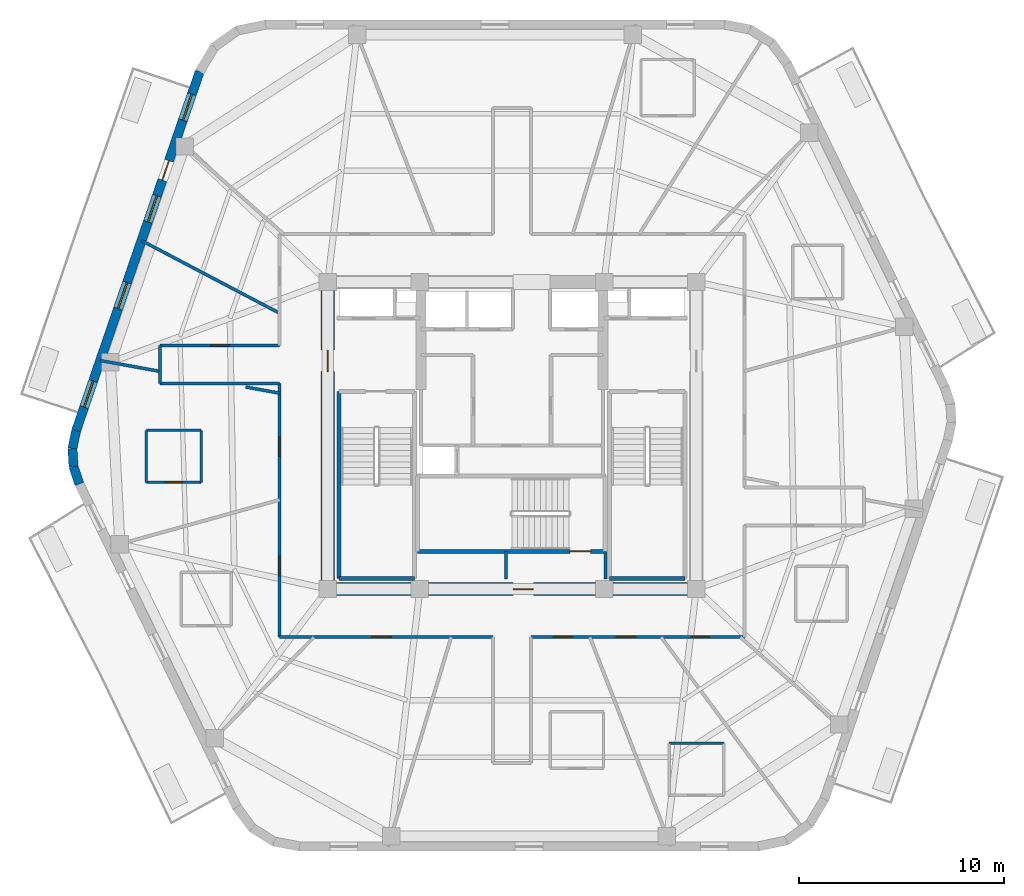
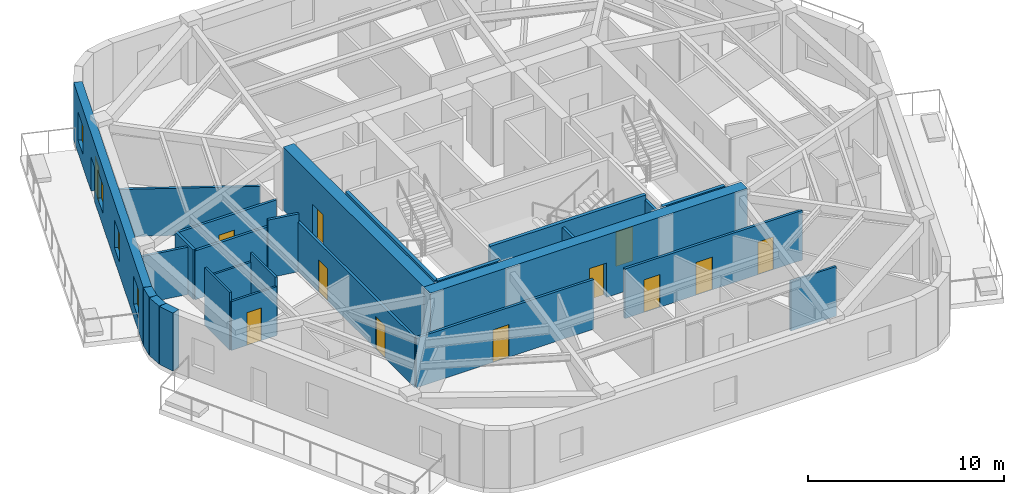
# One storey, part 3 of 9: 26 walls, 12 doors, 4 windows, 16 openings.
"""IFC4 building model written with IfcOpenShell, lengths in metres."""

from ifc_helpers import new_model, si_unit, direction, frame, frame_2d, origin, place, context, subcontext, project, spatial, rectangle, extrude, material, layer, layer_set, type_object, element, fill, save


model = new_model("IFC4")

# Units and contexts
model_context = context("Model", 3, precision=1e-05, world=origin(), true_north=direction((0.0, 1.0)))
body_context = subcontext(model_context, "Body", "Model", "MODEL_VIEW")
ifc_project = project(units=[si_unit("LENGTHUNIT", "METRE"), si_unit("AREAUNIT", "SQUARE_METRE"), si_unit("VOLUMEUNIT", "CUBIC_METRE"), si_unit("PLANEANGLEUNIT", "RADIAN"), si_unit("MASSUNIT", "GRAM", prefix="KILO")], contexts=[model_context])

# Site, building, storey
site_placement = place(None, origin())
site = spatial("IfcSite", under=ifc_project, at=site_placement, CompositionType="ELEMENT")
building_placement = place(site_placement, origin())
building = spatial("IfcBuilding", under=site, at=building_placement, Name="Kilnhurst Terrace Hotel", CompositionType="ELEMENT")
storey_placement = place(building_placement, frame((0.0, 0.0, 273.0)))
storey = spatial("IfcBuildingStorey", under=building, at=storey_placement, Name="L68", CompositionType="ELEMENT", Elevation=273.0)

# Walls
ifc_material_1 = material(Name="Precast concrete C40/50", Category="concrete")
ifc_layer_1 = layer(ifc_material_1, 0.449951171875, Name="Precast concrete C40/50")
ifc_layer_set_1 = layer_set([ifc_layer_1], Name="Precast concrete C40/50")
wall_type_1 = type_object("IfcWallType", Name="WL-BRK-450", PredefinedType="SOLIDWALL", material=ifc_layer_set_1)
wall_1_placement = place(storey_placement, frame((-21.297607421875, 0.2333984375, 0.0), z_axis=(0.0, 0.0, 1.0), x_axis=(-0.199158176661, -0.979967356941, 0.0)))
element("IfcWall", 1, at=wall_1_placement, inside=storey, type_object=wall_type_1, Name="L68 Rounded Corner Brick Wall C6.1", PredefinedType="SOLIDWALL", context=body_context, shape_type="SweptSolid", body=[
    extrude(rectangle(XDim=0.894775390625, YDim=0.449951171875, at=frame_2d((0.447265625, 0.0))), origin(), (0.0, 0.0, 1.0), 3.60009765625),
])
wall_2_placement = place(storey_placement, frame((-21.475830078125, -0.6435546875, 0.0), z_axis=(0.0, 0.0, 1.0), x_axis=(0.061031097918, -0.998135865044, 0.0)))
element("IfcWall", 2, at=wall_2_placement, inside=storey, type_object=wall_type_1, Name="L68 Rounded Corner Brick Wall C6.2", PredefinedType="SOLIDWALL", context=body_context, shape_type="SweptSolid", body=[
    extrude(rectangle(XDim=0.880126953125, YDim=0.449951171875, at=frame_2d((0.43994140625, 0.0))), origin(), (0.0, 0.0, 1.0), 3.60009765625),
])
wall_3_placement = place(storey_placement, frame((-21.422119140625, -1.52197265625, 0.0), z_axis=(0.0, 0.0, 1.0), x_axis=(0.316964162323, -0.94843751497, 0.0)))
element("IfcWall", 3, at=wall_3_placement, inside=storey, type_object=wall_type_1, Name="L68 Rounded Corner Brick Wall C6.3", PredefinedType="SOLIDWALL", context=body_context, shape_type="SweptSolid", body=[
    extrude(rectangle(XDim=0.89501953125, YDim=0.449951171875, at=frame_2d((0.447509765625, 0.0))), origin(), (0.0, 0.0, 1.0), 3.60009765625),
])

# Wall, openings, door, windows
wall_4_placement = place(storey_placement, frame((-15.260498046875, 17.776123046875, 0.0), z_axis=(0.0, 0.0, 1.0), x_axis=(-0.325407437101, -0.945573899745, 0.0)))
wall_4 = element("IfcWall", 4, at=wall_4_placement, inside=storey, type_object=wall_type_1, Name="L68 Exterior Brick Facade Wall F5", PredefinedType="SOLIDWALL", context=body_context, shape_type="SweptSolid", body=[
    extrude(rectangle(XDim=18.552490234375, YDim=0.449951171875, at=frame_2d((9.2763671875, 0.0))), origin(), (0.0, 0.0, 1.0), 3.60009765625),
])
opening_1_placement = place(wall_4_placement, frame((4.60205078125, 0.0, 0.0)))
opening_1 = element("IfcOpeningElement", 5, at=opening_1_placement, cuts=wall_4, Name="Opening BD-1000", PredefinedType="OPENING", context=body_context, shape_type="SweptSolid", body=[
    extrude(rectangle(XDim=1.0, YDim=2.14990234375, at=frame_2d((0.5, 1.074951171875))), frame((0.0, 0.23486328125, 0.0), z_axis=(0.0, -1.0, 0.0), x_axis=(1.0, 0.0, 0.0)), (0.0, 0.0, 1.0), 0.469970703125),
])
opening_2_placement = place(wall_4_placement, frame((1.160888671875, 0.0, 0.800048828125)))
opening_2 = element("IfcOpeningElement", 6, at=opening_2_placement, cuts=wall_4, Name="Opening W-06", PredefinedType="OPENING", context=body_context, shape_type="SweptSolid", body=[
    extrude(rectangle(XDim=1.35009765625, YDim=1.75, at=frame_2d((0.675048828125, 0.875))), frame((0.0, 0.23486328125, 0.0), z_axis=(0.0, -1.0, 0.0), x_axis=(1.0, 0.0, 0.0)), (0.0, 0.0, 1.0), 0.469970703125),
])
opening_3_placement = place(wall_4_placement, frame((6.412109375, 0.0, 0.800048828125)))
opening_3 = element("IfcOpeningElement", 7, at=opening_3_placement, cuts=wall_4, Name="Opening W-06", PredefinedType="OPENING", context=body_context, shape_type="SweptSolid", body=[
    extrude(rectangle(XDim=1.35009765625, YDim=1.75, at=frame_2d((0.675048828125, 0.875))), frame((0.0, 0.23486328125, 0.0), z_axis=(0.0, -1.0, 0.0), x_axis=(1.0, 0.0, 0.0)), (0.0, 0.0, 1.0), 0.469970703125),
])
opening_4_placement = place(wall_4_placement, frame((10.89208984375, 0.0, 0.800048828125)))
opening_4 = element("IfcOpeningElement", 8, at=opening_4_placement, cuts=wall_4, Name="Opening W-06", PredefinedType="OPENING", context=body_context, shape_type="SweptSolid", body=[
    extrude(rectangle(XDim=1.35009765625, YDim=1.75, at=frame_2d((0.675048828125, 0.875))), frame((0.0, 0.23486328125, 0.0), z_axis=(0.0, -1.0, 0.0), x_axis=(1.0, 0.0, 0.0)), (0.0, 0.0, 1.0), 0.469970703125),
])
opening_5_placement = place(wall_4_placement, frame((15.987060546875, 0.0, 0.800048828125)))
opening_5 = element("IfcOpeningElement", 9, at=opening_5_placement, cuts=wall_4, Name="Opening W-06", PredefinedType="OPENING", context=body_context, shape_type="SweptSolid", body=[
    extrude(rectangle(XDim=1.35009765625, YDim=1.75, at=frame_2d((0.675048828125, 0.875))), frame((0.0, 0.23486328125, 0.0), z_axis=(0.0, -1.0, 0.0), x_axis=(1.0, 0.0, 0.0)), (0.0, 0.0, 1.0), 0.469970703125),
])
ifc_material_2 = material(Name="Thermally Broken Bronze Aluminium Alloy 6063-T6 and Laminated Glass", Category="aluminium")
door_type_1 = type_object("IfcDoorType", Name="DR-EXT-BAL-1000", OperationType="NOTDEFINED", PredefinedType="DOOR", material=ifc_material_2)
door_1_placement = place(opening_1_placement, origin())
door_1 = element("IfcDoor", 10, at=door_1_placement, inside=storey, type_object=door_type_1, Name="L68 Planted Balcony Door BAL-L2A", OperationType="SINGLE_SWING_LEFT", OverallHeight=2.14990234375, OverallWidth=1.0, PredefinedType="DOOR", context=body_context, shape_type="SweptSolid", body=[
    extrude(rectangle(XDim=1.0, YDim=2.14990234375, at=frame_2d((0.5, 1.074951171875))), frame((0.0, 0.02490234375, 0.0), z_axis=(0.0, -1.0, 0.0), x_axis=(1.0, 0.0, 0.0)), (0.0, 0.0, 1.0), 0.050048828125),
])
fill(opening_1, door_1)
ifc_material_3 = material(Name="Thermally Broken Bronze Aluminium Alloy 6063-T6 and Low-E Glass", Category="aluminium")
window_type = type_object("IfcWindowType", Name="WIN-1350X1750", PartitioningType="SINGLE_PANEL", PredefinedType="WINDOW", material=ifc_material_3)
window_1_placement = place(opening_2_placement, origin())
window_1 = element("IfcWindow", 11, at=window_1_placement, inside=storey, type_object=window_type, Name="L68 Deep-Set Masonry Window F5.1", OverallHeight=1.75, OverallWidth=1.35009765625, PartitioningType="SINGLE_PANEL", PredefinedType="WINDOW", context=body_context, shape_type="SweptSolid", body=[
    extrude(rectangle(XDim=1.35009765625, YDim=1.75, at=frame_2d((0.675048828125, 0.875))), frame((0.0, 0.030029296875, 0.0), z_axis=(0.0, -1.0, 0.0), x_axis=(1.0, 0.0, 0.0)), (0.0, 0.0, 1.0), 0.06005859375),
])
fill(opening_2, window_1)
window_2_placement = place(opening_3_placement, origin())
window_2 = element("IfcWindow", 12, at=window_2_placement, inside=storey, type_object=window_type, Name="L68 Deep-Set Masonry Window F5.2", OverallHeight=1.75, OverallWidth=1.35009765625, PartitioningType="SINGLE_PANEL", PredefinedType="WINDOW", context=body_context, shape_type="SweptSolid", body=[
    extrude(rectangle(XDim=1.35009765625, YDim=1.75, at=frame_2d((0.675048828125, 0.875))), frame((0.0, 0.030029296875, 0.0), z_axis=(0.0, -1.0, 0.0), x_axis=(1.0, 0.0, 0.0)), (0.0, 0.0, 1.0), 0.06005859375),
])
fill(opening_3, window_2)
window_3_placement = place(opening_4_placement, origin())
window_3 = element("IfcWindow", 13, at=window_3_placement, inside=storey, type_object=window_type, Name="L68 Deep-Set Masonry Window F5.3", OverallHeight=1.75, OverallWidth=1.35009765625, PartitioningType="SINGLE_PANEL", PredefinedType="WINDOW", context=body_context, shape_type="SweptSolid", body=[
    extrude(rectangle(XDim=1.35009765625, YDim=1.75, at=frame_2d((0.675048828125, 0.875))), frame((0.0, 0.030029296875, 0.0), z_axis=(0.0, -1.0, 0.0), x_axis=(1.0, 0.0, 0.0)), (0.0, 0.0, 1.0), 0.06005859375),
])
fill(opening_4, window_3)
window_4_placement = place(opening_5_placement, origin())
window_4 = element("IfcWindow", 14, at=window_4_placement, inside=storey, type_object=window_type, Name="L68 Deep-Set Masonry Window F5.4", OverallHeight=1.75, OverallWidth=1.35009765625, PartitioningType="SINGLE_PANEL", PredefinedType="WINDOW", context=body_context, shape_type="SweptSolid", body=[
    extrude(rectangle(XDim=1.35009765625, YDim=1.75, at=frame_2d((0.675048828125, 0.875))), frame((0.0, 0.030029296875, 0.0), z_axis=(0.0, -1.0, 0.0), x_axis=(1.0, 0.0, 0.0)), (0.0, 0.0, 1.0), 0.06005859375),
])
fill(opening_5, window_4)

# Wall, openings, doors
ifc_material_4 = material(Name="Acoustic Double-Gypsum Corridor Partition Assembly")
ifc_layer_2 = layer(ifc_material_4, 0.14990234375, Name="Acoustic Double-Gypsum Corridor Partition Assembly")
ifc_layer_set_2 = layer_set([ifc_layer_2], Name="Acoustic Double-Gypsum Corridor Partition Assembly")
wall_type_2 = type_object("IfcWallType", Name="WL-COR-150", PredefinedType="PARTITIONING", material=ifc_layer_set_2)
wall_5_placement = place(storey_placement, frame((-11.35009765625, -9.85009765625, 0.0), z_axis=(0.0, 0.0, 1.0), x_axis=(0.0, 1.0, 0.0)))
wall_5 = element("IfcWall", 15, at=wall_5_placement, inside=storey, type_object=wall_type_2, Name="L68 Interior Wall WL-L68-COR-01", PredefinedType="PARTITIONING", context=body_context, shape_type="SweptSolid", body=[
    extrude(rectangle(XDim=12.400146484375, YDim=0.14990234375, at=frame_2d((6.2001953125, 0.0))), origin(), (0.0, 0.0, 1.0), 3.090087890625),
])
opening_6_placement = place(wall_5_placement, frame((8.8349609375, 0.0, 0.0)))
opening_6 = element("IfcOpeningElement", 16, at=opening_6_placement, cuts=wall_5, Name="Opening D-60B", PredefinedType="OPENING", context=body_context, shape_type="SweptSolid", body=[
    extrude(rectangle(XDim=0.949951171875, YDim=2.030029296875, at=frame_2d((0.47509765625, 1.01513671875))), frame((0.0, 0.0849609375, 0.0), z_axis=(0.0, -1.0, 0.0), x_axis=(1.0, 0.0, 0.0)), (0.0, 0.0, 1.0), 0.169921875),
])
opening_7_placement = place(wall_5_placement, frame((2.998046875, 0.0, 0.0)))
opening_7 = element("IfcOpeningElement", 17, at=opening_7_placement, cuts=wall_5, Name="Opening D-60B", PredefinedType="OPENING", context=body_context, shape_type="SweptSolid", body=[
    extrude(rectangle(XDim=0.949951171875, YDim=2.030029296875, at=frame_2d((0.47509765625, 1.01513671875))), frame((0.0, 0.0849609375, 0.0), z_axis=(0.0, -1.0, 0.0), x_axis=(1.0, 0.0, 0.0)), (0.0, 0.0, 1.0), 0.169921875),
])
ifc_material_5 = material(Name="Acoustic Walnut Veneer Solid-Core Fire Door")
door_type_2 = type_object("IfcDoorType", Name="DR-FD60-950", OperationType="NOTDEFINED", PredefinedType="DOOR", material=ifc_material_5)
door_2_placement = place(opening_6_placement, origin())
door_2 = element("IfcDoor", 18, at=door_2_placement, inside=storey, type_object=door_type_2, Name="L68 Guest Room Entry Door 8", OperationType="SINGLE_SWING_RIGHT", OverallHeight=2.030029296875, OverallWidth=0.949951171875, PredefinedType="DOOR", context=body_context, shape_type="SweptSolid", body=[
    extrude(rectangle(XDim=0.949951171875, YDim=2.030029296875, at=frame_2d((0.47509765625, 1.01513671875))), frame((0.0, 0.02490234375, 0.0), z_axis=(0.0, -1.0, 0.0), x_axis=(1.0, 0.0, 0.0)), (0.0, 0.0, 1.0), 0.050048828125),
])
fill(opening_6, door_2)
door_3_placement = place(opening_7_placement, origin())
door_3 = element("IfcDoor", 19, at=door_3_placement, inside=storey, type_object=door_type_2, Name="L68 Executive Suite Entry Door 9", OperationType="SINGLE_SWING_LEFT", OverallHeight=2.030029296875, OverallWidth=0.949951171875, PredefinedType="DOOR", context=body_context, shape_type="SweptSolid", body=[
    extrude(rectangle(XDim=0.949951171875, YDim=2.030029296875, at=frame_2d((0.47509765625, 1.01513671875))), frame((0.0, 0.02490234375, 0.0), z_axis=(0.0, -1.0, 0.0), x_axis=(1.0, 0.0, 0.0)), (0.0, 0.0, 1.0), 0.050048828125),
])
fill(opening_7, door_3)

# Walls
wall_6_placement = place(storey_placement, frame((-11.35009765625, 2.550048828125, 0.0), z_axis=(0.0, 0.0, 1.0), x_axis=(-1.0, 0.0, 0.0)))
element("IfcWall", 20, at=wall_6_placement, inside=storey, type_object=wall_type_2, Name="L68 Interior Wall WL-L68-COR-02", PredefinedType="PARTITIONING", context=body_context, shape_type="SweptSolid", body=[
    extrude(rectangle(XDim=5.849853515625, YDim=0.14990234375, at=frame_2d((2.9248046875, 0.0))), origin(), (0.0, 0.0, 1.0), 3.04052734375),
])
wall_7_placement = place(storey_placement, frame((-17.199951171875, 2.550048828125, 0.0), z_axis=(0.0, 0.0, 1.0), x_axis=(0.0, 1.0, 0.0)))
element("IfcWall", 21, at=wall_7_placement, inside=storey, type_object=wall_type_2, Name="L68 Interior Wall WL-L68-COR-03", PredefinedType="PARTITIONING", context=body_context, shape_type="SweptSolid", body=[
    extrude(rectangle(XDim=1.849853515625, YDim=0.14990234375, at=frame_2d((0.9248046875, 0.0))), origin(), (0.0, 0.0, 1.0), 3.090087890625),
])

# Wall, opening, door
wall_8_placement = place(storey_placement, frame((-17.199951171875, 4.39990234375, 0.0), z_axis=(0.0, 0.0, 1.0), x_axis=(1.0, 0.0, 0.0)))
wall_8 = element("IfcWall", 22, at=wall_8_placement, inside=storey, type_object=wall_type_2, Name="L68 Interior Wall WL-L68-COR-04", PredefinedType="PARTITIONING", context=body_context, shape_type="SweptSolid", body=[
    extrude(rectangle(XDim=5.849853515625, YDim=0.14990234375, at=frame_2d((2.9248046875, 0.0))), origin(), (0.0, 0.0, 1.0), 3.04052734375),
])
opening_8_placement = place(wall_8_placement, frame((2.47509765625, 0.0, 0.0)))
opening_8 = element("IfcOpeningElement", 23, at=opening_8_placement, cuts=wall_8, Name="Opening D-60C", PredefinedType="OPENING", context=body_context, shape_type="SweptSolid", body=[
    extrude(rectangle(XDim=0.89990234375, YDim=2.030029296875, at=frame_2d((0.449951171875, 1.01513671875))), frame((0.0, 0.0849609375, 0.0), z_axis=(0.0, -1.0, 0.0), x_axis=(1.0, 0.0, 0.0)), (0.0, 0.0, 1.0), 0.169921875),
])
ifc_material_6 = material(Name="Painted Solid-Core Service Fire Door")
door_type_3 = type_object("IfcDoorType", Name="DR-FD60-900", OperationType="NOTDEFINED", PredefinedType="DOOR", material=ifc_material_6)
door_4_placement = place(opening_8_placement, origin())
door_4 = element("IfcDoor", 24, at=door_4_placement, inside=storey, type_object=door_type_3, Name="L68 Private Meeting Salon Door 7", OperationType="SINGLE_SWING_LEFT", OverallHeight=2.030029296875, OverallWidth=0.89990234375, PredefinedType="DOOR", context=body_context, shape_type="SweptSolid", body=[
    extrude(rectangle(XDim=0.89990234375, YDim=2.030029296875, at=frame_2d((0.449951171875, 1.01513671875))), frame((0.0, 0.02490234375, 0.0), z_axis=(0.0, -1.0, 0.0), x_axis=(1.0, 0.0, 0.0)), (0.0, 0.0, 1.0), 0.050048828125),
])
fill(opening_8, door_4)

# Wall, openings, doors
wall_9_placement = place(storey_placement, frame((11.35009765625, -9.85009765625, 0.0), z_axis=(0.0, 0.0, 1.0), x_axis=(-1.0, 0.0, 0.0)))
wall_9 = element("IfcWall", 25, at=wall_9_placement, inside=storey, type_object=wall_type_2, Name="L68 Interior Wall WL-L68-COR-16", PredefinedType="PARTITIONING", context=body_context, shape_type="SweptSolid", body=[
    extrude(rectangle(XDim=10.43017578125, YDim=0.14990234375, at=frame_2d((5.215087890625, 0.0))), origin(), (0.0, 0.0, 1.0), 3.090087890625),
])
opening_9_placement = place(wall_9_placement, frame((8.382080078125, 0.0, 0.0)))
opening_9 = element("IfcOpeningElement", 26, at=opening_9_placement, cuts=wall_9, Name="Opening D-60B", PredefinedType="OPENING", context=body_context, shape_type="SweptSolid", body=[
    extrude(rectangle(XDim=0.949951171875, YDim=2.030029296875, at=frame_2d((0.47509765625, 1.01513671875))), frame((0.0, 0.0849609375, 0.0), z_axis=(0.0, -1.0, 0.0), x_axis=(1.0, 0.0, 0.0)), (0.0, 0.0, 1.0), 0.169921875),
])
opening_10_placement = place(wall_9_placement, frame((5.298095703125, 0.0, 0.0)))
opening_10 = element("IfcOpeningElement", 27, at=opening_10_placement, cuts=wall_9, Name="Opening D-60B", PredefinedType="OPENING", context=body_context, shape_type="SweptSolid", body=[
    extrude(rectangle(XDim=0.949951171875, YDim=2.030029296875, at=frame_2d((0.47509765625, 1.01513671875))), frame((0.0, 0.0849609375, 0.0), z_axis=(0.0, -1.0, 0.0), x_axis=(1.0, 0.0, 0.0)), (0.0, 0.0, 1.0), 0.169921875),
])
opening_11_placement = place(wall_9_placement, frame((1.700927734375, 0.0, 0.0)))
opening_11 = element("IfcOpeningElement", 28, at=opening_11_placement, cuts=wall_9, Name="Opening D-60C", PredefinedType="OPENING", context=body_context, shape_type="SweptSolid", body=[
    extrude(rectangle(XDim=0.89990234375, YDim=2.030029296875, at=frame_2d((0.449951171875, 1.01513671875))), frame((0.0, 0.0849609375, 0.0), z_axis=(0.0, -1.0, 0.0), x_axis=(1.0, 0.0, 0.0)), (0.0, 0.0, 1.0), 0.169921875),
])
door_5_placement = place(opening_11_placement, origin())
door_5 = element("IfcDoor", 29, at=door_5_placement, inside=storey, type_object=door_type_3, Name="L68 Wellness Consultation Room Door 13", OperationType="SINGLE_SWING_LEFT", OverallHeight=2.030029296875, OverallWidth=0.89990234375, PredefinedType="DOOR", context=body_context, shape_type="SweptSolid", body=[
    extrude(rectangle(XDim=0.89990234375, YDim=2.030029296875, at=frame_2d((0.449951171875, 1.01513671875))), frame((0.0, 0.02490234375, 0.0), z_axis=(0.0, -1.0, 0.0), x_axis=(1.0, 0.0, 0.0)), (0.0, 0.0, 1.0), 0.050048828125),
])
fill(opening_11, door_5)
door_6_placement = place(opening_9_placement, origin())
door_6 = element("IfcDoor", 30, at=door_6_placement, inside=storey, type_object=door_type_2, Name="L68 Executive Suite Entry Door 11", OperationType="SINGLE_SWING_LEFT", OverallHeight=2.030029296875, OverallWidth=0.949951171875, PredefinedType="DOOR", context=body_context, shape_type="SweptSolid", body=[
    extrude(rectangle(XDim=0.949951171875, YDim=2.030029296875, at=frame_2d((0.47509765625, 1.01513671875))), frame((0.0, 0.02490234375, 0.0), z_axis=(0.0, -1.0, 0.0), x_axis=(1.0, 0.0, 0.0)), (0.0, 0.0, 1.0), 0.050048828125),
])
fill(opening_9, door_6)
door_7_placement = place(opening_10_placement, origin())
door_7 = element("IfcDoor", 31, at=door_7_placement, inside=storey, type_object=door_type_2, Name="L68 Guest Room Entry Door 12", OperationType="SINGLE_SWING_RIGHT", OverallHeight=2.030029296875, OverallWidth=0.949951171875, PredefinedType="DOOR", context=body_context, shape_type="SweptSolid", body=[
    extrude(rectangle(XDim=0.949951171875, YDim=2.030029296875, at=frame_2d((0.47509765625, 1.01513671875))), frame((0.0, 0.02490234375, 0.0), z_axis=(0.0, -1.0, 0.0), x_axis=(1.0, 0.0, 0.0)), (0.0, 0.0, 1.0), 0.050048828125),
])
fill(opening_10, door_7)

# Wall, opening, door
wall_10_placement = place(storey_placement, frame((-0.919921875, -9.85009765625, 0.0), z_axis=(0.0, 0.0, 1.0), x_axis=(-1.0, 0.0, 0.0)))
wall_10 = element("IfcWall", 32, at=wall_10_placement, inside=storey, type_object=wall_type_2, Name="L68 Interior Wall WL-L68-COR-20", PredefinedType="PARTITIONING", context=body_context, shape_type="SweptSolid", body=[
    extrude(rectangle(XDim=10.43017578125, YDim=0.14990234375, at=frame_2d((5.215087890625, 0.0))), origin(), (0.0, 0.0, 1.0), 3.090087890625),
])
opening_12_placement = place(wall_10_placement, frame((4.97509765625, 0.0, 0.0)))
opening_12 = element("IfcOpeningElement", 33, at=opening_12_placement, cuts=wall_10, Name="Opening D-60B", PredefinedType="OPENING", context=body_context, shape_type="SweptSolid", body=[
    extrude(rectangle(XDim=0.949951171875, YDim=2.030029296875, at=frame_2d((0.47509765625, 1.01513671875))), frame((0.0, 0.0849609375, 0.0), z_axis=(0.0, -1.0, 0.0), x_axis=(1.0, 0.0, 0.0)), (0.0, 0.0, 1.0), 0.169921875),
])
door_8_placement = place(opening_12_placement, origin())
door_8 = element("IfcDoor", 34, at=door_8_placement, inside=storey, type_object=door_type_2, Name="L68 Executive Boardroom Door", OperationType="SINGLE_SWING_RIGHT", OverallHeight=2.030029296875, OverallWidth=0.949951171875, PredefinedType="DOOR", context=body_context, shape_type="SweptSolid", body=[
    extrude(rectangle(XDim=0.949951171875, YDim=2.030029296875, at=frame_2d((0.47509765625, 1.01513671875))), frame((0.0, 0.02490234375, 0.0), z_axis=(0.0, -1.0, 0.0), x_axis=(1.0, 0.0, 0.0)), (0.0, 0.0, 1.0), 0.050048828125),
])
fill(opening_12, door_8)

ifc_material_7 = material(Name="Concrete C60/75", Category="concrete")
ifc_layer_3 = layer(ifc_material_7, 0.64990234375, Name="Concrete C60/75")
ifc_layer_set_3 = layer_set([ifc_layer_3], Name="Concrete C60/75")
wall_type_3 = type_object("IfcWallType", Name="WL-CORE-650", PredefinedType="SHEAR", material=ifc_layer_set_3)
wall_11_placement = place(storey_placement, frame((-9.324951171875, -7.5, 0.0), z_axis=(0.0, 0.0, 1.0), x_axis=(1.0, 0.0, 0.0)))
wall_11 = element("IfcWall", 35, at=wall_11_placement, inside=storey, type_object=wall_type_3, Name="L68 Core South Shear Wall", PredefinedType="SHEAR", context=body_context, shape_type="SweptSolid", body=[
    extrude(rectangle(XDim=18.64990234375, YDim=0.64990234375, at=frame_2d((9.324951171875, 0.0))), origin(), (0.0, 0.0, 1.0), 3.89990234375),
])
opening_13_placement = place(wall_11_placement, frame((9.375, 0.0, 0.0)))
opening_13 = element("IfcOpeningElement", 36, at=opening_13_placement, cuts=wall_11, Name="Opening D-90B", PredefinedType="OPENING", context=body_context, shape_type="SweptSolid", body=[
    extrude(rectangle(XDim=1.0, YDim=2.14990234375, at=frame_2d((0.5, 1.074951171875))), frame((0.0, 0.3349609375, 0.0), z_axis=(0.0, -1.0, 0.0), x_axis=(1.0, 0.0, 0.0)), (0.0, 0.0, 1.0), 0.669921875),
])
ifc_material_8 = material(Name="Painted Hollow Metal Steel ASTM A36 Fire Door", Category="steel")
door_type_4 = type_object("IfcDoorType", Name="DR-FD90-1000", OperationType="NOTDEFINED", PredefinedType="DOOR", material=ifc_material_8)
door_9_placement = place(opening_13_placement, origin())
door_9 = element("IfcDoor", 37, at=door_9_placement, inside=storey, type_object=door_type_4, Name="L68 Stair ST-3 Corridor Door", OperationType="SINGLE_SWING_RIGHT", OverallHeight=2.14990234375, OverallWidth=1.0, PredefinedType="DOOR", context=body_context, shape_type="SweptSolid", body=[
    extrude(rectangle(XDim=1.0, YDim=2.14990234375, at=frame_2d((0.5, 1.074951171875))), frame((0.0, 0.02490234375, 0.0), z_axis=(0.0, -1.0, 0.0), x_axis=(1.0, 0.0, 0.0)), (0.0, 0.0, 1.0), 0.050048828125),
])
fill(opening_13, door_9)

wall_12_placement = place(storey_placement, frame((-9.0, -7.175048828125, 0.0), z_axis=(0.0, 0.0, 1.0), x_axis=(0.0, 1.0, 0.0)))
wall_12 = element("IfcWall", 38, at=wall_12_placement, inside=storey, type_object=wall_type_3, Name="L68 Core West Shear Wall", PredefinedType="SHEAR", context=body_context, shape_type="SweptSolid", body=[
    extrude(rectangle(XDim=14.35009765625, YDim=0.64990234375, at=frame_2d((7.175048828125, 0.0))), origin(), (0.0, 0.0, 1.0), 3.89990234375),
])
opening_14_placement = place(wall_12_placement, frame((10.300048828125, 0.0, 0.0)))
opening_14 = element("IfcOpeningElement", 39, at=opening_14_placement, cuts=wall_12, Name="Opening D-90A", PredefinedType="OPENING", context=body_context, shape_type="SweptSolid", body=[
    extrude(rectangle(XDim=1.050048828125, YDim=2.14990234375, at=frame_2d((0.52490234375, 1.074951171875))), frame((0.0, 0.3349609375, 0.0), z_axis=(0.0, -1.0, 0.0), x_axis=(1.0, 0.0, 0.0)), (0.0, 0.0, 1.0), 0.669921875),
])
door_type_5 = type_object("IfcDoorType", Name="DR-FD90-1050", OperationType="NOTDEFINED", PredefinedType="DOOR", material=ifc_material_8)
door_10_placement = place(opening_14_placement, origin())
door_10 = element("IfcDoor", 40, at=door_10_placement, inside=storey, type_object=door_type_5, Name="L68 West Firefighting Lobby Door", OperationType="SINGLE_SWING_RIGHT", OverallHeight=2.14990234375, OverallWidth=1.050048828125, PredefinedType="DOOR", context=body_context, shape_type="SweptSolid", body=[
    extrude(rectangle(XDim=1.050048828125, YDim=2.14990234375, at=frame_2d((0.52490234375, 1.074951171875))), frame((0.0, 0.02490234375, 0.0), z_axis=(0.0, -1.0, 0.0), x_axis=(1.0, 0.0, 0.0)), (0.0, 0.0, 1.0), 0.050048828125),
])
fill(opening_14, door_10)

# Walls
ifc_material_9 = material(Name="STC-58 Acoustic Twin-Frame Guestroom Demising Partition")
ifc_layer_4 = layer(ifc_material_9, 0.14990234375, Name="STC-58 Acoustic Twin-Frame Guestroom Demising Partition")
ifc_layer_set_4 = layer_set([ifc_layer_4], Name="STC-58 Acoustic Twin-Frame Guestroom Demising Partition")
wall_type_4 = type_object("IfcWallType", Name="WL-DEM-150", PredefinedType="PARTITIONING", material=ifc_layer_set_4)
wall_13_placement = place(storey_placement, frame((-11.35009765625, 5.970947265625, 0.0), z_axis=(0.0, 0.0, 1.0), x_axis=(-0.884999439042, 0.465592088523, 0.0)))
element("IfcWall", 41, at=wall_13_placement, inside=storey, type_object=wall_type_4, Name="L68 Interior Wall WL-L68-DEM-MID05-07-1", PredefinedType="PARTITIONING", context=body_context, shape_type="SweptSolid", body=[
    extrude(rectangle(XDim=7.6279296875, YDim=0.14990234375, at=frame_2d((3.81396484375, 0.0))), origin(), (0.0, 0.0, 1.0), 2.93994140625),
])
wall_14_placement = place(storey_placement, frame((-11.35009765625, 2.067138671875, 0.0), z_axis=(0.0, 0.0, 1.0), x_axis=(-0.983807459651, 0.179228575665, 0.0)))
element("IfcWall", 42, at=wall_14_placement, inside=storey, type_object=wall_type_4, Name="L68 Interior Wall WL-L68-DEM-COL06-08-1", PredefinedType="PARTITIONING", context=body_context, shape_type="SweptSolid", body=[
    extrude(rectangle(XDim=1.6904296875, YDim=0.14990234375, at=frame_2d((0.84521484375, 0.0))), origin(), (0.0, 0.0, 1.0), 3.60009765625),
])
wall_15_placement = place(storey_placement, frame((-17.199951171875, 3.132568359375, 0.0), z_axis=(0.0, 0.0, 1.0), x_axis=(-0.983817168797, 0.179175272791, 0.0)))
element("IfcWall", 43, at=wall_15_placement, inside=storey, type_object=wall_type_4, Name="L68 Interior Wall WL-L68-DEM-COL06-08-2", PredefinedType="PARTITIONING", context=body_context, shape_type="SweptSolid", body=[
    extrude(rectangle(XDim=2.965087890625, YDim=0.14990234375, at=frame_2d((1.482421875, 0.0))), origin(), (0.0, 0.0, 1.0), 2.93994140625),
])

# Wall, opening, door
ifc_material_10 = material(Name="120 mm Moisture-Resistant Tile-Backed Bathroom Partition")
ifc_layer_5 = layer(ifc_material_10, 0.1201171875, Name="120 mm Moisture-Resistant Tile-Backed Bathroom Partition")
ifc_layer_set_5 = layer_set([ifc_layer_5], Name="120 mm Moisture-Resistant Tile-Backed Bathroom Partition")
wall_type_5 = type_object("IfcWallType", Name="WL-PART-120", PredefinedType="PARTITIONING", material=ifc_layer_set_5)
wall_16_placement = place(storey_placement, frame((-17.864990234375, -2.2890625, 0.0), z_axis=(0.0, 0.0, 1.0), x_axis=(1.0, 0.0, 0.0)))
wall_16 = element("IfcWall", 44, at=wall_16_placement, inside=storey, type_object=wall_type_5, Name="L68 Interior Wall WL-L68-BTH-08-1", PredefinedType="PARTITIONING", context=body_context, shape_type="SweptSolid", body=[
    extrude(rectangle(XDim=2.679931640625, YDim=0.1201171875, at=frame_2d((1.33984375, 0.0))), origin(), (0.0, 0.0, 1.0), 3.04052734375),
])
opening_15_placement = place(wall_16_placement, frame((0.9150390625, 0.0, 0.0)))
opening_15 = element("IfcOpeningElement", 45, at=opening_15_placement, cuts=wall_16, Name="Opening D-08A", PredefinedType="OPENING", context=body_context, shape_type="SweptSolid", body=[
    extrude(rectangle(XDim=0.85009765625, YDim=2.030029296875, at=frame_2d((0.425048828125, 1.01513671875))), frame((0.0, 0.070068359375, 0.0), z_axis=(0.0, -1.0, 0.0), x_axis=(1.0, 0.0, 0.0)), (0.0, 0.0, 1.0), 0.14013671875),
])
ifc_material_11 = material(Name="Moisture-Resistant Lacquered En-suite Bathroom Door")
door_type_6 = type_object("IfcDoorType", Name="DR-INT-850", OperationType="NOTDEFINED", PredefinedType="DOOR", material=ifc_material_11)
door_11_placement = place(opening_15_placement, origin())
door_11 = element("IfcDoor", 46, at=door_11_placement, inside=storey, type_object=door_type_6, Name="L68 En-suite Bathroom Door 8", OperationType="SINGLE_SWING_LEFT", OverallHeight=2.030029296875, OverallWidth=0.85009765625, PredefinedType="DOOR", context=body_context, shape_type="SweptSolid", body=[
    extrude(rectangle(XDim=0.85009765625, YDim=2.030029296875, at=frame_2d((0.425048828125, 1.01513671875))), frame((0.0, 0.02490234375, 0.0), z_axis=(0.0, -1.0, 0.0), x_axis=(1.0, 0.0, 0.0)), (0.0, 0.0, 1.0), 0.050048828125),
])
fill(opening_15, door_11)

# Walls
wall_17_placement = place(storey_placement, frame((-15.18505859375, -2.2890625, 0.0), z_axis=(0.0, 0.0, 1.0), x_axis=(0.0, 1.0, 0.0)))
element("IfcWall", 47, at=wall_17_placement, inside=storey, type_object=wall_type_5, Name="L68 Interior Wall WL-L68-BTH-08-2", PredefinedType="PARTITIONING", context=body_context, shape_type="SweptSolid", body=[
    extrude(rectangle(XDim=2.5400390625, YDim=0.1201171875, at=frame_2d((1.27001953125, 0.0))), origin(), (0.0, 0.0, 1.0), 3.60009765625),
])
wall_18_placement = place(storey_placement, frame((-15.18505859375, 0.2509765625, 0.0), z_axis=(0.0, 0.0, 1.0), x_axis=(-1.0, 0.0, 0.0)))
element("IfcWall", 48, at=wall_18_placement, inside=storey, type_object=wall_type_5, Name="L68 Interior Wall WL-L68-BTH-08-3", PredefinedType="PARTITIONING", context=body_context, shape_type="SweptSolid", body=[
    extrude(rectangle(XDim=2.679931640625, YDim=0.1201171875, at=frame_2d((1.33984375, 0.0))), origin(), (0.0, 0.0, 1.0), 3.04052734375),
])
wall_19_placement = place(storey_placement, frame((-17.864990234375, 0.2509765625, 0.0), z_axis=(0.0, 0.0, 1.0), x_axis=(0.0, -1.0, 0.0)))
element("IfcWall", 49, at=wall_19_placement, inside=storey, type_object=wall_type_5, Name="L68 Interior Wall WL-L68-BTH-08-4", PredefinedType="PARTITIONING", context=body_context, shape_type="SweptSolid", body=[
    extrude(rectangle(XDim=2.5400390625, YDim=0.1201171875, at=frame_2d((1.27001953125, 0.0))), origin(), (0.0, 0.0, 1.0), 3.60009765625),
])
wall_20_placement = place(storey_placement, frame((10.35400390625, -15.041015625, 0.0), z_axis=(0.0, 0.0, 1.0), x_axis=(-1.0, 0.0, 0.0)))
element("IfcWall", 50, at=wall_20_placement, inside=storey, type_object=wall_type_5, Name="L68 Interior Wall WL-L68-BTH-12-3", PredefinedType="PARTITIONING", context=body_context, shape_type="SweptSolid", body=[
    extrude(rectangle(XDim=2.679931640625, YDim=0.1201171875, at=frame_2d((1.33984375, 0.0))), origin(), (0.0, 0.0, 1.0), 3.090087890625),
])
ifc_material_12 = material(Name="Fire-Rated Gypsum Shaftliner Assembly")
ifc_layer_6 = layer(ifc_material_12, 0.14990234375, Name="Fire-Rated Gypsum Shaftliner Assembly")
ifc_layer_set_6 = layer_set([ifc_layer_6], Name="Fire-Rated Gypsum Shaftliner Assembly")
wall_type_6 = type_object("IfcWallType", Name="WL-SHAFT-150", PredefinedType="PARTITIONING", material=ifc_layer_set_6)
for number, where, z_axis, x_axis, name in (
    (51, (-0.300048828125, -7.02001953125, 0.0), (0.0, 0.0, 1.0), (0.0, 1.0, 0.0), "L68 Interior Wall WL-L68-ST3-PSGW"),
    (52, (4.55810546875, -7.02001953125, 0.0), (0.0, 0.0, 1.0), (0.0, 1.0, 0.0), "L68 Interior Wall WL-L68-ST3-PSGE"),
):
    element("IfcWall", number, at=place(storey_placement, frame(where, z_axis=z_axis, x_axis=x_axis)), inside=storey, type_object=wall_type_6, Name=name, PredefinedType="PARTITIONING", context=body_context, shape_type="SweptSolid", body=[
        extrude(rectangle(XDim=1.362060546875, YDim=0.14990234375, at=frame_2d((0.68115234375, 0.0))), origin(), (0.0, 0.0, 1.0), 3.60009765625),
    ])
ifc_material_13 = material(Name="Concrete C50/60", Category="concrete")
ifc_layer_7 = layer(ifc_material_13, 0.199951171875, Name="Concrete C50/60")
ifc_layer_set_7 = layer_set([ifc_layer_7], Name="Concrete C50/60")
wall_type_7 = type_object("IfcWallType", Name="WL-STAIR-RC-200", PredefinedType="SHEAR", material=ifc_layer_set_7)
wall_21_placement = place(storey_placement, frame((-8.4580078125, -6.985107421875, 0.0), z_axis=(0.0, 0.0, 1.0), x_axis=(0.0, 1.0, 0.0)))
element("IfcWall", 53, at=wall_21_placement, inside=storey, type_object=wall_type_7, Name="L68 Structural Stair Shaft Wall WL-L68-ST1-W", PredefinedType="SHEAR", context=body_context, shape_type="SweptSolid", body=[
    extrude(rectangle(XDim=9.14306640625, YDim=0.199951171875, at=frame_2d((4.571533203125, 0.0))), origin(), (0.0, 0.0, 1.0), 3.89990234375),
])
for number, where, z_axis, x_axis, name in (
    (54, (-8.4580078125, -6.985107421875, 0.0), (0.0, 0.0, 1.0), (1.0, 0.0, 0.0), "L68 Structural Stair Shaft Wall WL-L68-ST1-S"),
    (55, (4.77197265625, -6.985107421875, 0.0), (0.0, 0.0, 1.0), (1.0, 0.0, 0.0), "L68 Structural Stair Shaft Wall WL-L68-ST2-S"),
):
    element("IfcWall", number, at=place(storey_placement, frame(where, z_axis=z_axis, x_axis=x_axis)), inside=storey, type_object=wall_type_7, Name=name, PredefinedType="SHEAR", context=body_context, shape_type="SweptSolid", body=[
        extrude(rectangle(XDim=3.68603515625, YDim=0.199951171875, at=frame_2d((1.843017578125, 0.0))), origin(), (0.0, 0.0, 1.0), 3.89990234375),
    ])

# Wall, opening, door
wall_22_placement = place(storey_placement, frame((-4.60791015625, -5.657958984375, 0.0), z_axis=(0.0, 0.0, 1.0), x_axis=(1.0, 0.0, 0.0)))
wall_22 = element("IfcWall", 56, at=wall_22_placement, inside=storey, type_object=wall_type_7, Name="L68 Structural Stair Shaft Wall WL-L68-ST3-S", PredefinedType="SHEAR", context=body_context, shape_type="SweptSolid", body=[
    extrude(rectangle(XDim=9.166015625, YDim=0.199951171875, at=frame_2d((4.5830078125, 0.0))), origin(), (0.0, 0.0, 1.0), 3.89990234375),
])
opening_16_placement = place(wall_22_placement, frame((7.449951171875, 0.0, 0.0)))
opening_16 = element("IfcOpeningElement", 57, at=opening_16_placement, cuts=wall_22, Name="Opening D-90B", PredefinedType="OPENING", context=body_context, shape_type="SweptSolid", body=[
    extrude(rectangle(XDim=1.0, YDim=2.14990234375, at=frame_2d((0.5, 1.074951171875))), frame((0.0, 0.10986328125, 0.0), z_axis=(0.0, -1.0, 0.0), x_axis=(1.0, 0.0, 0.0)), (0.0, 0.0, 1.0), 0.219970703125),
])
door_12_placement = place(opening_16_placement, origin())
door_12 = element("IfcDoor", 58, at=door_12_placement, inside=storey, type_object=door_type_4, Name="L68 Stair ST-3 Shaft Door", OperationType="SINGLE_SWING_LEFT", OverallHeight=2.14990234375, OverallWidth=1.0, PredefinedType="DOOR", context=body_context, shape_type="SweptSolid", body=[
    extrude(rectangle(XDim=1.0, YDim=2.14990234375, at=frame_2d((0.5, 1.074951171875))), frame((0.0, 0.02490234375, 0.0), z_axis=(0.0, -1.0, 0.0), x_axis=(1.0, 0.0, 0.0)), (0.0, 0.0, 1.0), 0.050048828125),
])
fill(opening_16, door_12)

save(model, "model.ifc")
